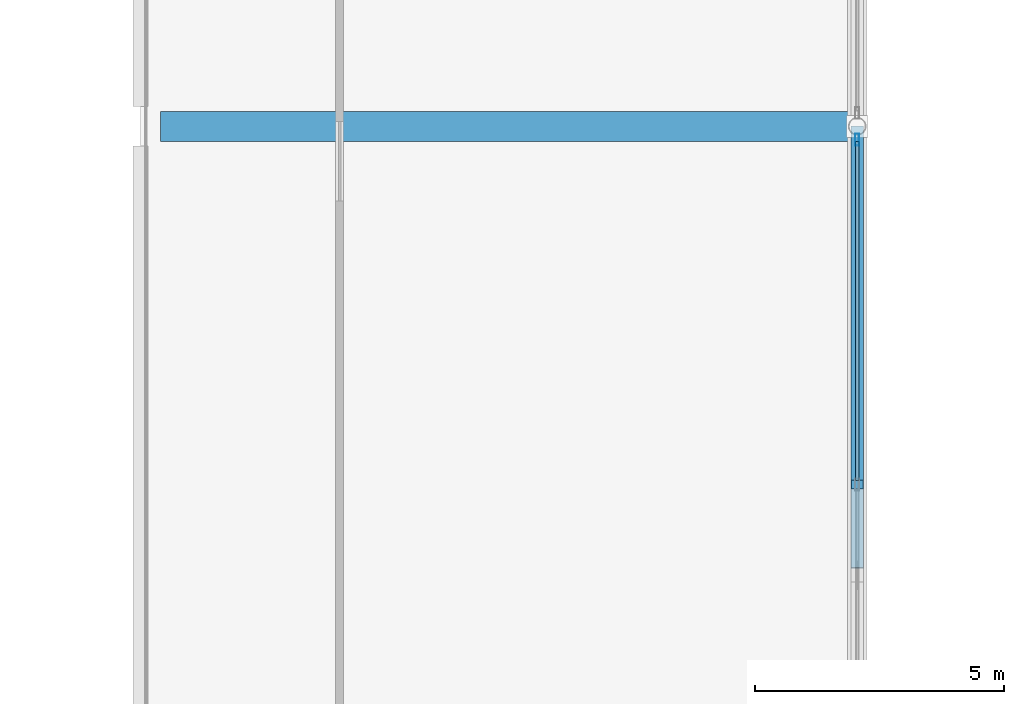
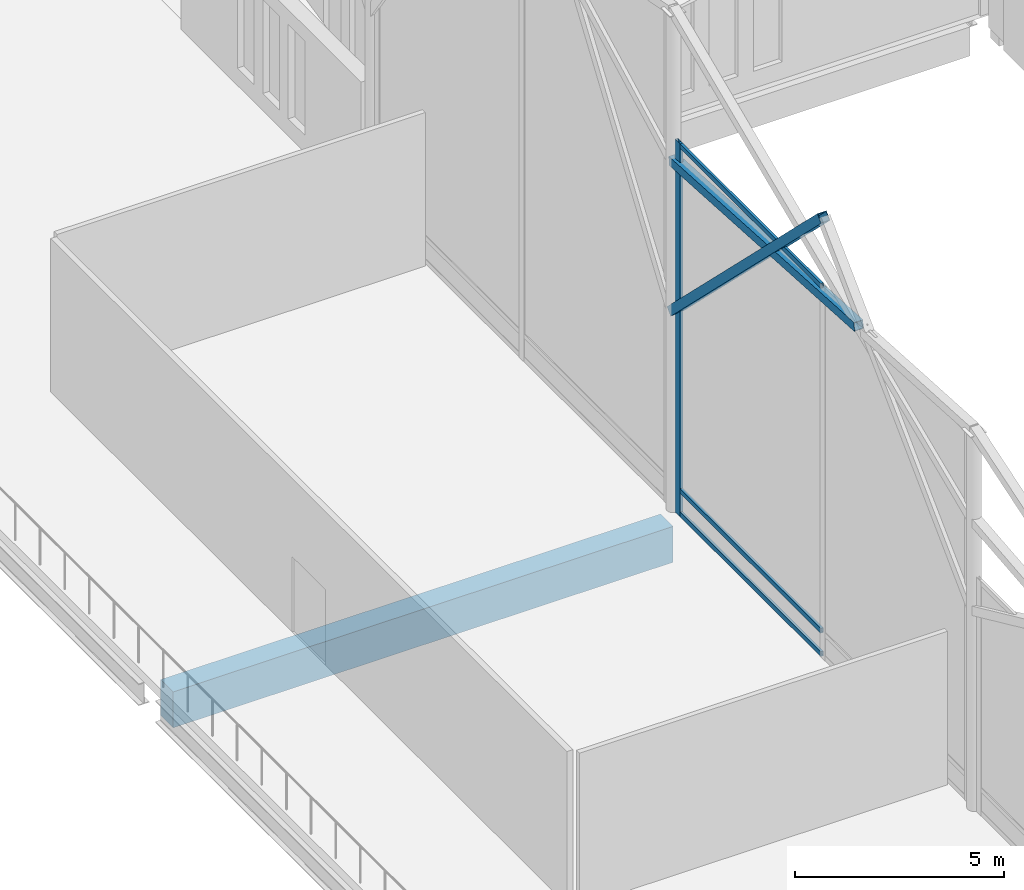
# One storey, part 66 of 220: 6 members, 1 beam, 1 element without a shape of its own.
"""IFC4 building model written with IfcOpenShell, lengths in metres."""

from ifc_helpers import new_model, si_unit, direction, frame, origin, origin_2d, place, context, subcontext, project, spatial, rectangle, hollow_rectangle, extrude, material, material_profile, profile_set, type_object, element, aggregate, save


model = new_model("IFC4")

# Units and contexts
model_context = context("Model", 3, precision=1e-05, world=origin(), true_north=direction((0.0, 1.0)))
body_context = subcontext(model_context, "Body", "Model", "MODEL_VIEW")
ifc_project = project(units=[si_unit("LENGTHUNIT", "METRE"), si_unit("AREAUNIT", "SQUARE_METRE"), si_unit("VOLUMEUNIT", "CUBIC_METRE"), si_unit("PLANEANGLEUNIT", "RADIAN"), si_unit("MASSUNIT", "GRAM", prefix="KILO")], contexts=[model_context])

# Site, building, storey
site_placement = place(None, origin())
site = spatial("IfcSite", under=ifc_project, at=site_placement, CompositionType="ELEMENT")
building_placement = place(site_placement, origin())
building = spatial("IfcBuilding", under=site, at=building_placement, Name="Cendralis Lancet Convention Centre", CompositionType="ELEMENT")
storey_placement = place(building_placement, frame((0.0, 0.0, 5.39990234375)))
storey = spatial("IfcBuildingStorey", under=building, at=storey_placement, Name="L01", CompositionType="ELEMENT", Elevation=5.39990234375)

# Curtain wall, members
ifc_material_1 = material(Name="Anodised bronze architectural aluminium", Category="aluminium")
curtain_wall_type = type_object("IfcCurtainWallType", Name="ARC-CW-GB02", PredefinedType="USERDEFINED", material=ifc_material_1)
curtain_wall_placement = place(storey_placement, origin())
curtain_wall = element("IfcCurtainWall", 1, at=curtain_wall_placement, inside=storey, type_object=curtain_wall_type, Name="L01 Curtain Wall CW-GB2 #106", ObjectType="CURTAIN WALL", PredefinedType="USERDEFINED")
ifc_material_profile_1 = material_profile(ifc_material_1, hollow_rectangle(XDim=0.080078125, YDim=0.239990234375, WallThickness=0.0048828125, at=origin_2d()), Name="AL-MULL 80x240x5.0")
ifc_profile_set_1 = profile_set([ifc_material_profile_1], Name="Anodised bronze architectural aluminium")
member_type_1 = type_object("IfcMemberType", Name="ARC-CW-ML03", PredefinedType="MULLION", material=ifc_profile_set_1)
member_1_placement = place(storey_placement, frame((122.39990234375, 78.93212890625, 0.0), z_axis=(0.0, 0.0, 1.0), x_axis=(1.0, 0.0, 0.0)))
member_1 = element("IfcMember", 2, at=member_1_placement, type_object=member_type_1, Name="Mullion CW2-CW-GB2-L01-106-M0", PredefinedType="MULLION", context=body_context, shape_type="SweptSolid", body=[
    extrude(hollow_rectangle(XDim=0.080078125, YDim=0.239990234375, WallThickness=0.0048828125, at=origin_2d()), origin(), (0.0, 0.0, 1.0), 10.901123046875),
])
ifc_material_profile_2 = material_profile(ifc_material_1, hollow_rectangle(XDim=0.070068359375, YDim=0.139892578125, WallThickness=0.00390625, at=origin_2d()), Name="AL-TRAN 70x140x4.0")
ifc_profile_set_2 = profile_set([ifc_material_profile_2], Name="Anodised bronze architectural aluminium")
member_type_2 = type_object("IfcMemberType", Name="ARC-CW-TR02", PredefinedType="USERDEFINED", material=ifc_profile_set_2)
member_2_placement = place(storey_placement, frame((122.39990234375, 78.89208984375, 0.070068359375), z_axis=(0.0, -1.0, 0.0), x_axis=(1.0, 0.0, 0.0)))
member_2 = element("IfcMember", 3, at=member_2_placement, type_object=member_type_2, Name="Transom CW2-CW-GB2-L01-106-T0BOT", ObjectType="TRANSOM", PredefinedType="USERDEFINED", context=body_context, shape_type="SweptSolid", body=[
    extrude(hollow_rectangle(XDim=0.070068359375, YDim=0.139892578125, WallThickness=0.00390625, at=origin_2d()), origin(), (0.0, 0.0, 1.0), 6.81201171875),
])
member_3_placement = place(storey_placement, frame((122.39990234375, 78.89208984375, 0.75), z_axis=(0.0, -1.0, 0.0), x_axis=(1.0, 0.0, 0.0)))
member_3 = element("IfcMember", 4, at=member_3_placement, type_object=member_type_2, Name="Transom CW2-CW-GB2-L01-106-T0MID", ObjectType="TRANSOM", PredefinedType="USERDEFINED", context=body_context, shape_type="SweptSolid", body=[
    extrude(hollow_rectangle(XDim=0.070068359375, YDim=0.139892578125, WallThickness=0.00390625, at=origin_2d()), origin(), (0.0, 0.0, 1.0), 6.81201171875),
])
member_4_placement = place(storey_placement, frame((122.39990234375, 78.89208984375, 10.8310546875), z_axis=(0.0, -1.0, 0.0), x_axis=(1.0, 0.0, 0.0)))
member_4 = element("IfcMember", 5, at=member_4_placement, type_object=member_type_2, Name="Transom CW2-CW-GB2-L01-106-T0TOP", ObjectType="TRANSOM", PredefinedType="USERDEFINED", context=body_context, shape_type="SweptSolid", body=[
    extrude(hollow_rectangle(XDim=0.070068359375, YDim=0.139892578125, WallThickness=0.00390625, at=origin_2d()), origin(), (0.0, 0.0, 1.0), 6.81201171875),
])
aggregate(curtain_wall, [member_1, member_2, member_3, member_4])

# Beam
ifc_material_2 = material(Name="Concrete G40 (C40/50)", Category="concrete")
ifc_material_profile_3 = material_profile(ifc_material_2, rectangle(XDim=0.60009765625, YDim=1.050048828125, at=origin_2d()), Name="RCB 600x1050")
ifc_profile_set_3 = profile_set([ifc_material_profile_3], Name="Concrete G40 (C40/50)")
beam_type = type_object("IfcBeamType", Name="STR-BM-BG03", PredefinedType="BEAM", material=ifc_profile_set_3)
beam_placement = place(storey_placement, frame((108.39990234375, 79.199951171875, -0.804931640625), z_axis=(1.0, 0.0, 0.0), x_axis=(0.0, 1.0, 0.0)))
element("IfcBeam", 6, at=beam_placement, inside=storey, type_object=beam_type, Name="L01 Beam BG03 #1296", PredefinedType="BEAM", context=body_context, shape_type="SweptSolid", body=[
    extrude(rectangle(XDim=0.60009765625, YDim=1.050048828125, at=origin_2d()), origin(), (0.0, 0.0, 1.0), 13.822265625),
])

# Members
ifc_material_3 = material(Name="Steel S355", Category="steel")
ifc_material_profile_4 = material_profile(ifc_material_3, hollow_rectangle(XDim=0.25, YDim=0.25, WallThickness=0.012451171875, at=origin_2d()), Name="SHS 250x250x12.5")
ifc_profile_set_4 = profile_set([ifc_material_profile_4], Name="Steel S355")
member_type_3 = type_object("IfcMemberType", Name="STR-BR-GB01", PredefinedType="BRACE", material=ifc_profile_set_4)
member_5_placement = place(storey_placement, frame((122.39990234375, 79.199951171875, 5.800048828125), z_axis=(0.0, -0.712944916229, 0.701220041373), x_axis=(1.0, 0.0, 0.0)))
element("IfcMember", 7, at=member_5_placement, inside=storey, type_object=member_type_3, Name="Exhibition Gable Gothic Ogival Tracery Rib GBR1 #037", PredefinedType="BRACE", context=body_context, shape_type="SweptSolid", body=[
    extrude(hollow_rectangle(XDim=0.25, YDim=0.25, WallThickness=0.012451171875, at=origin_2d()), origin(), (0.0, 0.0, 1.0), 10.098876953125),
])
member_6_placement = place(storey_placement, frame((122.39990234375, 79.199951171875, 10.203125), z_axis=(0.0, -0.998270583864, 0.05878640482), x_axis=(1.0, 0.0, 0.0)))
element("IfcMember", 8, at=member_6_placement, inside=storey, type_object=member_type_3, Name="Exhibition Gable Split X-Brace Rib GBR1 #039", PredefinedType="BRACE", context=body_context, shape_type="SweptSolid", body=[
    extrude(hollow_rectangle(XDim=0.25, YDim=0.25, WallThickness=0.012451171875, at=origin_2d()), origin(), (0.0, 0.0, 1.0), 8.8916015625),
])

save(model, "model.ifc")
